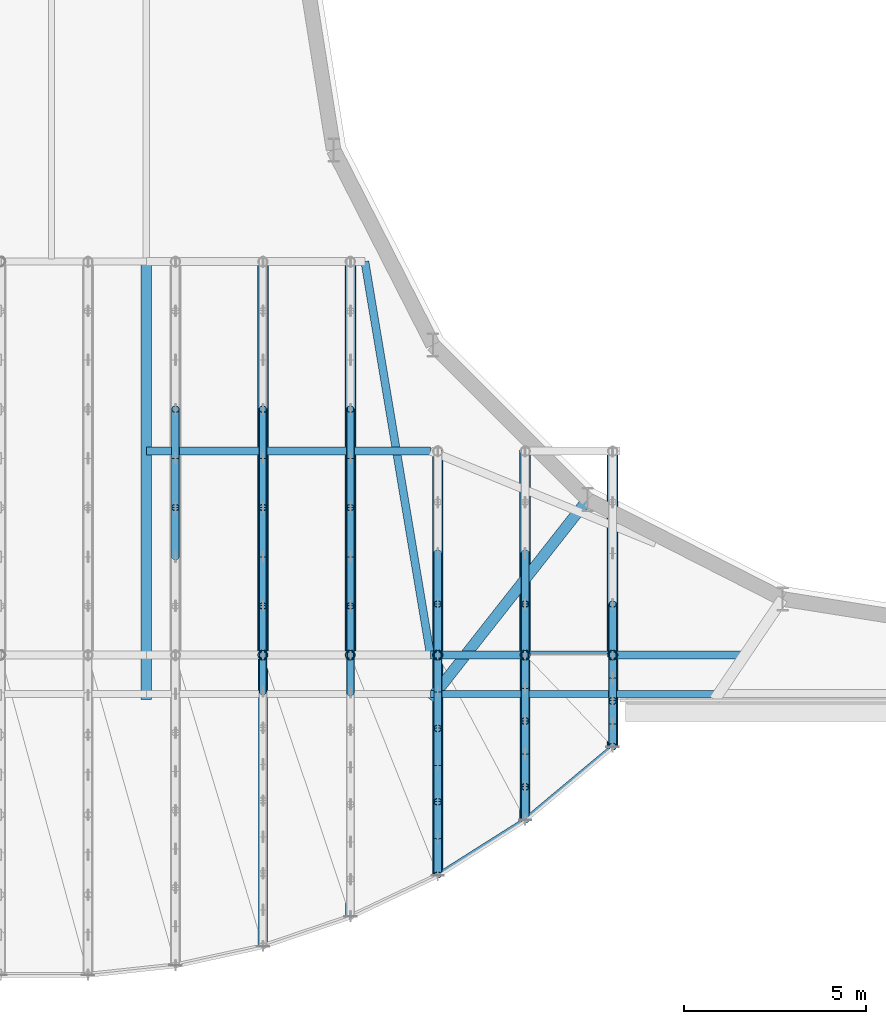
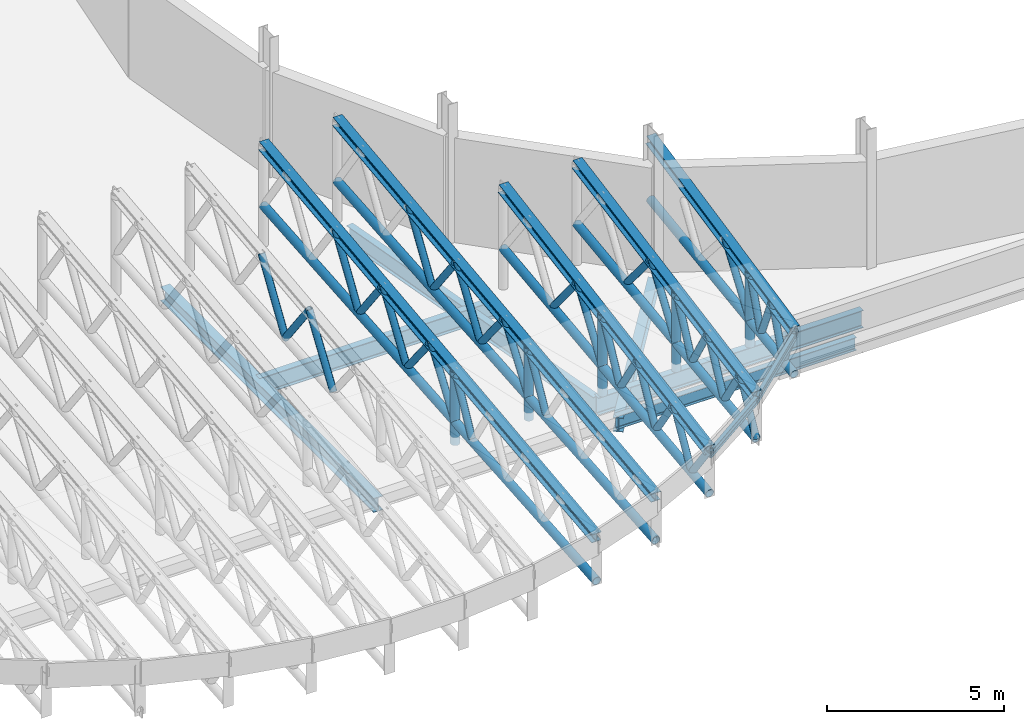
# One storey, part 14 of 58: 42 members, 16 beams.
"""IFC4 building model written with IfcOpenShell, lengths in metres."""

import ifcopenshell
import ifcopenshell.guid

model = None  # the IFC model being written
_history = None  # IfcOwnerHistory: only IFC2X3 demands one
_inside = {}  # id of a spatial element -> (the spatial element, [elements in it])
_under = {}  # id of a project, library or spatial element -> (it, [spatial elements below it])
_declared = {}  # id of a project -> (the project, [libraries it declares])
_typed = {}  # id of a type object -> (the type object, [elements of that type])
_made_of = {}  # id of a material, layer set ... -> (it, [elements and type objects made of it])


def new_model(schema):
    """Start an empty IFC model of exactly this schema.

    Asked for "IFC4X3", IfcOpenShell would pick the latest addendum, in which some entities
    have other attributes; the version numbers below select the first issue.
    IFC2X3 requires an IfcOwnerHistory on every rooted entity: one is made here for all.
    """
    global model, _history
    if schema == "IFC4X3":
        model = ifcopenshell.file(schema_version=(4, 3, 0, 0))
    else:
        model = ifcopenshell.file(schema=schema)
    _inside.clear()
    _under.clear()
    _declared.clear()
    _typed.clear()
    _made_of.clear()
    _history = None
    if model.schema == "IFC2X3":
        org = make("IfcOrganization", Name="unknown")
        user = make(
            "IfcPersonAndOrganization",
            ThePerson=make("IfcPerson", FamilyName="unknown"),
            TheOrganization=org,
        )
        app = make(
            "IfcApplication",
            ApplicationDeveloper=org,
            Version="unknown",
            ApplicationFullName="unknown",
            ApplicationIdentifier="unknown",
        )
        _history = make(
            "IfcOwnerHistory",
            OwningUser=user,
            OwningApplication=app,
            ChangeAction="ADDED",
            CreationDate=0,
        )
    return model


def make(cls, **values):
    """One entity of the class cls with the attributes given. An attribute that is None is left unset."""
    return model.create_entity(
        cls, **{name: value for name, value in values.items() if value is not None}
    )


def rooted(cls, **values):
    """An entity with a GlobalId (a new one), such as an element, a storey or a relation."""
    return make(cls, GlobalId=ifcopenshell.guid.new(), OwnerHistory=_history, **values)


def si_unit(unit_type, name, prefix=None):
    """IfcSIUnit, for example si_unit("LENGTHUNIT", "METRE", prefix="MILLI")."""
    return make("IfcSIUnit", UnitType=unit_type, Prefix=prefix, Name=name)


def assignment(units):
    """IfcUnitAssignment: the units of a project."""
    return None if units is None else make("IfcUnitAssignment", Units=units)


def point(xyz):
    """IfcCartesianPoint."""
    return None if xyz is None else make("IfcCartesianPoint", Coordinates=xyz)


def direction(xyz):
    """IfcDirection."""
    return None if xyz is None else make("IfcDirection", DirectionRatios=xyz)


def frame(location, z_axis=None, x_axis=None):
    """IfcAxis2Placement3D, a coordinate frame: its origin and axes. An axis left out is left unset."""
    return make(
        "IfcAxis2Placement3D",
        Location=point(location),
        Axis=direction(z_axis),
        RefDirection=direction(x_axis),
    )


def frame_2d(location, x_axis=None):
    """IfcAxis2Placement2D, a coordinate frame in the plane: its origin and x axis."""
    return make(
        "IfcAxis2Placement2D", Location=point(location), RefDirection=direction(x_axis)
    )


def origin():
    """The frame at (0, 0, 0) with its axes left unset."""
    return frame((0.0, 0.0, 0.0))


def origin_2d():
    """The frame at (0, 0) in the plane with its x axis left unset."""
    return frame_2d((0.0, 0.0))


def place(relative_to, where):
    """IfcLocalPlacement: puts the frame where relative to a parent placement (None: the world)."""
    return make(
        "IfcLocalPlacement", PlacementRelTo=relative_to, RelativePlacement=where
    )


def context(
    kind, dimensions, precision=None, world=None, true_north=None, identifier=None
):
    """IfcGeometricRepresentationContext, for example the 3D "Model" context."""
    return make(
        "IfcGeometricRepresentationContext",
        ContextIdentifier=identifier,
        ContextType=kind,
        CoordinateSpaceDimension=dimensions,
        Precision=precision,
        WorldCoordinateSystem=world,
        TrueNorth=true_north,
    )


def subcontext(parent, identifier, kind, view, scale=None):
    """IfcGeometricRepresentationSubContext, for example "Body" below "Model"."""
    return make(
        "IfcGeometricRepresentationSubContext",
        ContextIdentifier=identifier,
        ContextType=kind,
        ParentContext=parent,
        TargetScale=scale,
        TargetView=view,
    )


def project(units=None, contexts=None):
    """IfcProject with its units and contexts."""
    return rooted(
        "IfcProject",
        Name="project",
        RepresentationContexts=contexts,
        UnitsInContext=assignment(units),
    )


def spatial(cls, under=None, at=None, **own):
    """A site, building, storey or space (cls), placed at a placement, below another one or the project."""
    s = rooted(cls, ObjectPlacement=at, **own)
    if under is not None:
        _under.setdefault(under.id(), (under, []))[1].append(s)
    return s


def profile(cls, at=None, kind="AREA", **sizes):
    """A parametric profile (cls). Its sizes go by their IFC names, for example OverallWidth=200.0."""
    return make(cls, ProfileType=kind, Position=at, **sizes)


def hollow_circle(**sizes):
    """IfcCircleHollowProfileDef."""
    return profile("IfcCircleHollowProfileDef", **sizes)


def i_section(**sizes):
    """IfcIShapeProfileDef."""
    return profile("IfcIShapeProfileDef", **sizes)


def extrude(swept, where, along, depth):
    """IfcExtrudedAreaSolid: the profile swept, set in the frame where, extruded along a direction by depth."""
    return make(
        "IfcExtrudedAreaSolid",
        SweptArea=swept,
        Position=where,
        ExtrudedDirection=direction(along),
        Depth=depth,
    )


def shape(context_of_items, identifier, shape_type, items):
    """IfcShapeRepresentation: the items that make up one representation, for example the "Body"."""
    return make(
        "IfcShapeRepresentation",
        ContextOfItems=context_of_items,
        RepresentationIdentifier=identifier,
        RepresentationType=shape_type,
        Items=items,
    )


def material(Name=None, Category=None):
    """IfcMaterial."""
    return make("IfcMaterial", Name=Name, Category=Category)


def material_profile(
    of_material, cross_section, Name=None, Category=None, Priority=None
):
    """IfcMaterialProfile: a cross section and its material."""
    return make(
        "IfcMaterialProfile",
        Name=Name,
        Material=of_material,
        Profile=cross_section,
        Priority=Priority,
        Category=Category,
    )


def profile_set(profiles, Name=None, composite=None):
    """IfcMaterialProfileSet."""
    return make(
        "IfcMaterialProfileSet",
        Name=Name,
        MaterialProfiles=profiles,
        CompositeProfile=composite,
    )


def made_of(thing, what):
    """Note that an element or type object is made of a material, layer set ...; save() writes the relation."""
    if what is not None:
        _made_of.setdefault(what.id(), (what, []))[1].append(thing)
    return thing


def type_object(cls, material=None, **own):
    """A type object (cls), such as IfcWallType, which elements share."""
    return made_of(rooted(cls, **own), material)


def element(
    cls,
    number,
    at=None,
    inside=None,
    cuts=None,
    type_object=None,
    material=None,
    context=None,
    identifier="Body",
    shape_type=None,
    held_by="IfcProductDefinitionShape",
    body=None,
    shapes=None,
    **own,
):
    """One element of the class cls, such as IfcWall. Its Tag is "e" and its number.

    at: its placement. inside: the storey or other place that contains it. cuts: it is an
    opening in that element (IfcRelVoidsElement). A single representation is given by context,
    identifier, shape_type and body (its items); several are given by shapes. held_by: the class
    of the entity that holds the representations. save() writes the other relations.
    """
    e = rooted(cls, Tag="e%d" % number, ObjectPlacement=at, **own)
    if body is not None:
        shapes = [shape(context, identifier, shape_type, body)]
    if shapes is not None:
        e.Representation = make(held_by, Representations=shapes)
    if inside is not None:
        _inside.setdefault(inside.id(), (inside, []))[1].append(e)
    if cuts is not None:
        rooted(
            "IfcRelVoidsElement", RelatingBuildingElement=cuts, RelatedOpeningElement=e
        )
    if type_object is not None:
        _typed.setdefault(type_object.id(), (type_object, []))[1].append(e)
    return made_of(e, material)


def aggregate(whole, parts):
    """IfcRelAggregates: a whole, such as a stair, and the parts it consists of."""
    return rooted("IfcRelAggregates", RelatingObject=whole, RelatedObjects=parts)


def save(model, path):
    """Write the relations noted so far, then the file.

    IfcRelAggregates (storeys below a building ...), IfcRelContainedInSpatialStructure (elements
    in a storey), IfcRelDefinesByType, IfcRelAssociatesMaterial and IfcRelDeclares: one each for
    every whole, place, type object, material and project.
    """
    for whole, parts in _under.values():
        aggregate(whole, parts)
    for where, things in _inside.values():
        rooted(
            "IfcRelContainedInSpatialStructure",
            RelatedElements=things,
            RelatingStructure=where,
        )
    for kind, things in _typed.values():
        rooted("IfcRelDefinesByType", RelatedObjects=things, RelatingType=kind)
    for what, things in _made_of.values():
        rooted("IfcRelAssociatesMaterial", RelatedObjects=things, RelatingMaterial=what)
    for by, libraries in _declared.values():
        rooted("IfcRelDeclares", RelatingContext=by, RelatedDefinitions=libraries)
    model.write(path)


model = new_model("IFC4")

# Units and contexts
model_context = context("Model", 3, precision=1e-05, world=origin(), true_north=direction((0.0, 1.0)))
body_context = subcontext(model_context, "Body", "Model", "MODEL_VIEW")
ifc_project = project(units=[si_unit("LENGTHUNIT", "METRE"), si_unit("AREAUNIT", "SQUARE_METRE"), si_unit("VOLUMEUNIT", "CUBIC_METRE"), si_unit("PLANEANGLEUNIT", "RADIAN"), si_unit("MASSUNIT", "GRAM", prefix="KILO")], contexts=[model_context])

# Site, building, storey
site_placement = place(None, origin())
site = spatial("IfcSite", under=ifc_project, at=site_placement, CompositionType="ELEMENT")
building_placement = place(site_placement, origin())
building = spatial("IfcBuilding", under=site, at=building_placement, Name="Sefraquen Railside Congress Hotel", CompositionType="ELEMENT")
storey_placement = place(building_placement, frame((0.0, 0.0, 16.199951171875)))
storey = spatial("IfcBuildingStorey", under=building, at=storey_placement, Name="L03", CompositionType="ELEMENT", Elevation=16.199951171875)

# Beams
ifc_material_1 = material(Name="Steel S355JR", Category="steel")
ifc_material_profile_1 = material_profile(ifc_material_1, i_section(OverallWidth=0.18994140625, OverallDepth=0.449951171875, WebThickness=0.009521484375, FlangeThickness=0.0146484375, FilletRadius=0.02099609375, at=origin_2d()), Name="IPE 450")
ifc_profile_set_1 = profile_set([ifc_material_profile_1], Name="Steel S355JR")
beam_type_1 = type_object("IfcBeamType", Name="TB-BM-450", PredefinedType="BEAM", material=ifc_profile_set_1)
beam_1_placement = place(storey_placement, frame((48.60009765625, 6.128173828125, -0.5048828125), z_axis=(1.0, 0.0, 0.0), x_axis=(0.0, 1.0, 0.0)))
element("IfcBeam", 1, at=beam_1_placement, inside=storey, type_object=beam_type_1, Name="Congress leaning-hull south edge beam L03-04", PredefinedType="BEAM", context=body_context, shape_type="SweptSolid", body=[
    extrude(i_section(OverallWidth=0.18994140625, OverallDepth=0.449951171875, WebThickness=0.009521484375, FlangeThickness=0.0146484375, FilletRadius=0.02099609375, at=origin_2d()), origin(), (0.0, 0.0, 1.0), 7.7998046875),
])
ifc_material_2 = material(Name="Steel S355J2", Category="steel")
ifc_material_profile_2 = material_profile(ifc_material_2, hollow_circle(Radius=0.136474609375, WallThickness=0.012451171875, at=origin_2d()), Name="CHS 273x12.5")
ifc_profile_set_2 = profile_set([ifc_material_profile_2], Name="Steel S355J2")
beam_type_2 = type_object("IfcBeamType", Name="TB-CANT-BOT", PredefinedType="BEAM", material=ifc_profile_set_2)
beam_2_placement = place(storey_placement, frame((44.0, 18.0, 1.35009765625), z_axis=(0.0, -0.99666047707, -0.08165717021), x_axis=(1.0, 0.0, 0.0)))
element("IfcBeam", 2, at=beam_2_placement, inside=storey, type_object=beam_type_2, Name="Canopy cantilever truss continuous bottom chord 10", PredefinedType="BEAM", context=body_context, shape_type="SweptSolid", body=[
    extrude(hollow_circle(Radius=0.136474609375, WallThickness=0.012451171875, at=origin_2d()), origin(), (0.0, 0.0, 1.0), 18.847900390625),
])
beam_3_placement = place(storey_placement, frame((46.39990234375, 18.0, 1.35009765625), z_axis=(0.0, -0.996653309501, -0.081744606311), x_axis=(1.0, 0.0, 0.0)))
element("IfcBeam", 3, at=beam_3_placement, inside=storey, type_object=beam_type_2, Name="Canopy cantilever truss continuous bottom chord 11", PredefinedType="BEAM", context=body_context, shape_type="SweptSolid", body=[
    extrude(hollow_circle(Radius=0.136474609375, WallThickness=0.012451171875, at=origin_2d()), origin(), (0.0, 0.0, 1.0), 18.033203125),
])
beam_4_placement = place(storey_placement, frame((48.800048828125, 12.800048828125, 1.35009765625), z_axis=(0.0, -0.993013865395, -0.117997725122), x_axis=(1.0, 0.0, 0.0)))
element("IfcBeam", 4, at=beam_4_placement, inside=storey, type_object=beam_type_2, Name="Canopy cantilever truss continuous bottom chord 12", PredefinedType="BEAM", context=body_context, shape_type="SweptSolid", body=[
    extrude(hollow_circle(Radius=0.136474609375, WallThickness=0.012451171875, at=origin_2d()), origin(), (0.0, 0.0, 1.0), 11.720947265625),
])
beam_5_placement = place(storey_placement, frame((51.199951171875, 12.800048828125, 1.35009765625), z_axis=(0.0, -0.992316127988, -0.123728340061), x_axis=(1.0, 0.0, 0.0)))
element("IfcBeam", 5, at=beam_5_placement, inside=storey, type_object=beam_type_2, Name="Canopy cantilever truss continuous bottom chord 13", PredefinedType="BEAM", context=body_context, shape_type="SweptSolid", body=[
    extrude(hollow_circle(Radius=0.136474609375, WallThickness=0.012451171875, at=origin_2d()), origin(), (0.0, 0.0, 1.0), 10.199462890625),
])
beam_6_placement = place(storey_placement, frame((53.60009765625, 12.800048828125, 1.35009765625), z_axis=(0.0, -0.990917952932, -0.134467879276), x_axis=(1.0, 0.0, 0.0)))
element("IfcBeam", 6, at=beam_6_placement, inside=storey, type_object=beam_type_2, Name="Canopy cantilever truss continuous bottom chord 14", PredefinedType="BEAM", context=body_context, shape_type="SweptSolid", body=[
    extrude(hollow_circle(Radius=0.136474609375, WallThickness=0.012451171875, at=origin_2d()), origin(), (0.0, 0.0, 1.0), 8.1884765625),
])
ifc_material_profile_3 = material_profile(ifc_material_1, i_section(OverallWidth=0.300048828125, OverallDepth=0.31005859375, WebThickness=0.009033203125, FlangeThickness=0.015380859375, FilletRadius=0.027099609375, at=origin_2d()), Name="HEA 320")
ifc_profile_set_3 = profile_set([ifc_material_profile_3], Name="Steel S355JR")
beam_type_3 = type_object("IfcBeamType", Name="TB-CANT-TOP", PredefinedType="BEAM", material=ifc_profile_set_3)
beam_7_placement = place(storey_placement, frame((44.0, 18.0, 3.449951171875), z_axis=(0.0, -0.993579910464, -0.113132495426), x_axis=(1.0, 0.0, 0.0)))
element("IfcBeam", 7, at=beam_7_placement, inside=storey, type_object=beam_type_3, Name="Canopy cantilever truss continuous top chord 10", PredefinedType="BEAM", context=body_context, shape_type="SweptSolid", body=[
    extrude(i_section(OverallWidth=0.300048828125, OverallDepth=0.31005859375, WebThickness=0.009033203125, FlangeThickness=0.015380859375, FilletRadius=0.027099609375, at=origin_2d()), origin(), (0.0, 0.0, 1.0), 18.90625),
])
beam_8_placement = place(storey_placement, frame((46.39990234375, 18.0, 3.449951171875), z_axis=(0.0, -0.993407812942, -0.114633839615), x_axis=(1.0, 0.0, 0.0)))
element("IfcBeam", 8, at=beam_8_placement, inside=storey, type_object=beam_type_3, Name="Canopy cantilever truss continuous top chord 11", PredefinedType="BEAM", context=body_context, shape_type="SweptSolid", body=[
    extrude(i_section(OverallWidth=0.300048828125, OverallDepth=0.31005859375, WebThickness=0.009033203125, FlangeThickness=0.015380859375, FilletRadius=0.027099609375, at=origin_2d()), origin(), (0.0, 0.0, 1.0), 18.09228515625),
])
beam_9_placement = place(storey_placement, frame((48.800048828125, 12.800048828125, 3.449951171875), z_axis=(0.0, -0.985796269092, -0.167945574056), x_axis=(1.0, 0.0, 0.0)))
element("IfcBeam", 9, at=beam_9_placement, inside=storey, type_object=beam_type_3, Name="Canopy cantilever truss continuous top chord 12", PredefinedType="BEAM", context=body_context, shape_type="SweptSolid", body=[
    extrude(i_section(OverallWidth=0.300048828125, OverallDepth=0.31005859375, WebThickness=0.009033203125, FlangeThickness=0.015380859375, FilletRadius=0.027099609375, at=origin_2d()), origin(), (0.0, 0.0, 1.0), 11.806884765625),
])
beam_10_placement = place(storey_placement, frame((51.199951171875, 12.800048828125, 3.449951171875), z_axis=(0.0, -0.983498095505, -0.180918479263), x_axis=(1.0, 0.0, 0.0)))
element("IfcBeam", 10, at=beam_10_placement, inside=storey, type_object=beam_type_3, Name="Canopy cantilever truss continuous top chord 13", PredefinedType="BEAM", context=body_context, shape_type="SweptSolid", body=[
    extrude(i_section(OverallWidth=0.300048828125, OverallDepth=0.31005859375, WebThickness=0.009033203125, FlangeThickness=0.015380859375, FilletRadius=0.027099609375, at=origin_2d()), origin(), (0.0, 0.0, 1.0), 10.291015625),
])
beam_11_placement = place(storey_placement, frame((53.60009765625, 12.800048828125, 3.449951171875), z_axis=(0.0, -0.978726583859, -0.205168891522), x_axis=(1.0, 0.0, 0.0)))
element("IfcBeam", 11, at=beam_11_placement, inside=storey, type_object=beam_type_3, Name="Canopy cantilever truss continuous top chord 14", PredefinedType="BEAM", context=body_context, shape_type="SweptSolid", body=[
    extrude(i_section(OverallWidth=0.300048828125, OverallDepth=0.31005859375, WebThickness=0.009033203125, FlangeThickness=0.015380859375, FilletRadius=0.027099609375, at=origin_2d()), origin(), (0.0, 0.0, 1.0), 8.290283203125),
])
ifc_material_profile_4 = material_profile(ifc_material_1, i_section(OverallWidth=0.300048828125, OverallDepth=0.489990234375, WebThickness=0.011962890625, FlangeThickness=0.02294921875, FilletRadius=0.027099609375, at=origin_2d()), Name="HEA 500")
ifc_profile_set_4 = profile_set([ifc_material_profile_4], Name="Steel S355JR")
beam_type_4 = type_object("IfcBeamType", Name="TB-GIR-500", PredefinedType="T_BEAM", material=ifc_profile_set_4)
beam_12_placement = place(storey_placement, frame((40.800048828125, 5.978515625, -0.52490234375), z_axis=(0.0, 1.0, 0.0), x_axis=(-1.0, 0.0, 0.0)))
element("IfcBeam", 12, at=beam_12_placement, inside=storey, type_object=beam_type_4, Name="Congress leaning-hull diaphragm tie girder S-6 L03", PredefinedType="T_BEAM", context=body_context, shape_type="SweptSolid", body=[
    extrude(i_section(OverallWidth=0.300048828125, OverallDepth=0.489990234375, WebThickness=0.011962890625, FlangeThickness=0.02294921875, FilletRadius=0.027099609375, at=origin_2d()), origin(), (0.0, 0.0, 1.0), 12.021484375),
])
beam_13_placement = place(storey_placement, frame((48.60009765625, 5.978515625, -0.52490234375), z_axis=(0.618019227105, 0.78616298242, 0.0), x_axis=(-0.78616298242, 0.618019227105, 0.0)))
element("IfcBeam", 13, at=beam_13_placement, inside=storey, type_object=beam_type_4, Name="Congress leaning-hull diaphragm tie girder S-7 L03", PredefinedType="T_BEAM", context=body_context, shape_type="SweptSolid", body=[
    extrude(i_section(OverallWidth=0.300048828125, OverallDepth=0.489990234375, WebThickness=0.011962890625, FlangeThickness=0.02294921875, FilletRadius=0.027099609375, at=origin_2d()), origin(), (0.0, 0.0, 1.0), 6.981201171875),
])
ifc_material_profile_5 = material_profile(ifc_material_1, i_section(OverallWidth=0.219970703125, OverallDepth=0.60009765625, WebThickness=0.011962890625, FlangeThickness=0.01904296875, FilletRadius=0.02392578125, at=origin_2d()), Name="IPE 600")
ifc_profile_set_5 = profile_set([ifc_material_profile_5], Name="Steel S355JR")
beam_type_5 = type_object("IfcBeamType", Name="TB-GIR-600", PredefinedType="T_BEAM", material=ifc_profile_set_5)
beam_14_placement = place(storey_placement, frame((48.60009765625, 7.199951171875, -0.579833984375), z_axis=(1.0, 0.0, 0.0), x_axis=(0.0, 1.0, 0.0)))
element("IfcBeam", 14, at=beam_14_placement, inside=storey, type_object=beam_type_5, Name="Canopy L03 fulcrum header girder 04", PredefinedType="T_BEAM", context=body_context, shape_type="SweptSolid", body=[
    extrude(i_section(OverallWidth=0.219970703125, OverallDepth=0.60009765625, WebThickness=0.011962890625, FlangeThickness=0.01904296875, FilletRadius=0.02392578125, at=origin_2d()), origin(), (0.0, 0.0, 1.0), 8.6298828125),
])
beam_15_placement = place(storey_placement, frame((46.800048828125, 18.0, -0.579833984375), z_axis=(0.164402603184, -0.986393321179, 0.0), x_axis=(0.986393321179, 0.164402603184, 0.0)))
element("IfcBeam", 15, at=beam_15_placement, inside=storey, type_object=beam_type_5, Name="Canopy L03 back-span cross trimmer girder", PredefinedType="T_BEAM", context=body_context, shape_type="SweptSolid", body=[
    extrude(i_section(OverallWidth=0.219970703125, OverallDepth=0.60009765625, WebThickness=0.011962890625, FlangeThickness=0.01904296875, FilletRadius=0.02392578125, at=origin_2d()), origin(), (0.0, 0.0, 1.0), 10.948974609375),
])
beam_16_placement = place(storey_placement, frame((40.800048828125, 12.800048828125, -0.579833984375), z_axis=(1.0, 0.0, 0.0), x_axis=(0.0, 1.0, 0.0)))
element("IfcBeam", 16, at=beam_16_placement, inside=storey, type_object=beam_type_5, Name="Canopy L03 east back-span anchor girder 04", PredefinedType="T_BEAM", context=body_context, shape_type="SweptSolid", body=[
    extrude(i_section(OverallWidth=0.219970703125, OverallDepth=0.60009765625, WebThickness=0.011962890625, FlangeThickness=0.01904296875, FilletRadius=0.02392578125, at=origin_2d()), origin(), (0.0, 0.0, 1.0), 7.800048828125),
])

# Members
ifc_material_profile_6 = material_profile(ifc_material_2, hollow_circle(Radius=0.109619140625, WallThickness=0.010009765625, at=origin_2d()), Name="CHS 219.1x10")
ifc_profile_set_6 = profile_set([ifc_material_profile_6], Name="Steel S355J2")
member_type_1 = type_object("IfcMemberType", Name="TM-BR-219", PredefinedType="BRACE", material=ifc_profile_set_6)
member_1_placement = place(storey_placement, frame((41.60009765625, 13.949951171875, 2.99267578125), z_axis=(0.0, -0.543512112046, -0.83940132479), x_axis=(1.0, 0.0, 0.0)))
element("IfcMember", 17, at=member_1_placement, inside=storey, type_object=member_type_1, Name="Canopy cantilever truss web diagonal 09.04", PredefinedType="BRACE", context=body_context, shape_type="SweptSolid", body=[
    extrude(hollow_circle(Radius=0.109619140625, WallThickness=0.010009765625, at=origin_2d()), origin(), (0.0, 0.0, 1.0), 2.483642578125),
])
member_2_placement = place(storey_placement, frame((41.60009765625, 12.60009765625, 0.907958984375), z_axis=(0.0, -0.604362561467, 0.796709416473), x_axis=(1.0, 0.0, 0.0)))
element("IfcMember", 18, at=member_2_placement, inside=storey, type_object=member_type_1, Name="Canopy cantilever truss web diagonal 09.05", PredefinedType="BRACE", context=body_context, shape_type="SweptSolid", body=[
    extrude(hollow_circle(Radius=0.109619140625, WallThickness=0.010009765625, at=origin_2d()), origin(), (0.0, 0.0, 1.0), 2.23388671875),
])
member_3_placement = place(storey_placement, frame((41.60009765625, 11.25, 2.687744140625), z_axis=(0.0, -0.559359930014, -0.828924887245), x_axis=(1.0, 0.0, 0.0)))
element("IfcMember", 19, at=member_3_placement, inside=storey, type_object=member_type_1, Name="Canopy cantilever truss web diagonal 09.06", PredefinedType="BRACE", context=body_context, shape_type="SweptSolid", body=[
    extrude(hollow_circle(Radius=0.109619140625, WallThickness=0.010009765625, at=origin_2d()), origin(), (0.0, 0.0, 1.0), 2.41357421875),
])
member_4_placement = place(storey_placement, frame((44.0, 13.949951171875, 2.98876953125), z_axis=(0.0, -0.544185488096, -0.838964930463), x_axis=(1.0, 0.0, 0.0)))
element("IfcMember", 20, at=member_4_placement, inside=storey, type_object=member_type_1, Name="Canopy cantilever truss web diagonal 10.04", PredefinedType="BRACE", context=body_context, shape_type="SweptSolid", body=[
    extrude(hollow_circle(Radius=0.109619140625, WallThickness=0.010009765625, at=origin_2d()), origin(), (0.0, 0.0, 1.0), 2.48046875),
])
member_5_placement = place(storey_placement, frame((44.0, 12.60009765625, 0.90771484375), z_axis=(0.0, -0.605680159853, 0.795708202773), x_axis=(1.0, 0.0, 0.0)))
element("IfcMember", 21, at=member_5_placement, inside=storey, type_object=member_type_1, Name="Canopy cantilever truss web diagonal 10.05", PredefinedType="BRACE", context=body_context, shape_type="SweptSolid", body=[
    extrude(hollow_circle(Radius=0.109619140625, WallThickness=0.010009765625, at=origin_2d()), origin(), (0.0, 0.0, 1.0), 2.22900390625),
])
member_6_placement = place(storey_placement, frame((44.0, 11.25, 2.681396484375), z_axis=(0.0, -0.560487280563, -0.828163032456), x_axis=(1.0, 0.0, 0.0)))
element("IfcMember", 22, at=member_6_placement, inside=storey, type_object=member_type_1, Name="Canopy cantilever truss web diagonal 10.06", PredefinedType="BRACE", context=body_context, shape_type="SweptSolid", body=[
    extrude(hollow_circle(Radius=0.109619140625, WallThickness=0.010009765625, at=origin_2d()), origin(), (0.0, 0.0, 1.0), 2.40869140625),
])
member_7_placement = place(storey_placement, frame((44.0, 9.89990234375, 0.6865234375), z_axis=(0.0, -0.624653713374, 0.780901874994), x_axis=(1.0, 0.0, 0.0)))
element("IfcMember", 23, at=member_7_placement, inside=storey, type_object=member_type_1, Name="Canopy cantilever truss web diagonal 10.07", PredefinedType="BRACE", context=body_context, shape_type="SweptSolid", body=[
    extrude(hollow_circle(Radius=0.109619140625, WallThickness=0.010009765625, at=origin_2d()), origin(), (0.0, 0.0, 1.0), 2.160888671875),
])
member_8_placement = place(storey_placement, frame((44.0, 8.550048828125, 2.3740234375), z_axis=(0.0, -0.577478301783, -0.816406033154), x_axis=(1.0, 0.0, 0.0)))
element("IfcMember", 24, at=member_8_placement, inside=storey, type_object=member_type_1, Name="Canopy cantilever truss web diagonal 10.08", PredefinedType="BRACE", context=body_context, shape_type="SweptSolid", body=[
    extrude(hollow_circle(Radius=0.109619140625, WallThickness=0.010009765625, at=origin_2d()), origin(), (0.0, 0.0, 1.0), 2.337890625),
])
member_9_placement = place(storey_placement, frame((44.0, 7.199951171875, 2.22021484375), z_axis=(0.0, -0.477460397215, -0.878653270119), x_axis=(1.0, 0.0, 0.0)))
element("IfcMember", 25, at=member_9_placement, inside=storey, type_object=member_type_1, Name="Canopy cantilever truss web diagonal 10.09", PredefinedType="BRACE", context=body_context, shape_type="SweptSolid", body=[
    extrude(hollow_circle(Radius=0.109619140625, WallThickness=0.010009765625, at=origin_2d()), origin(), (0.0, 0.0, 1.0), 2.09033203125),
])
member_10_placement = place(storey_placement, frame((46.39990234375, 13.949951171875, 2.982666015625), z_axis=(0.0, -0.545220559607, -0.838292634694), x_axis=(1.0, 0.0, 0.0)))
element("IfcMember", 26, at=member_10_placement, inside=storey, type_object=member_type_1, Name="Canopy cantilever truss web diagonal 11.04", PredefinedType="BRACE", context=body_context, shape_type="SweptSolid", body=[
    extrude(hollow_circle(Radius=0.109619140625, WallThickness=0.010009765625, at=origin_2d()), origin(), (0.0, 0.0, 1.0), 2.475830078125),
])
member_11_placement = place(storey_placement, frame((46.39990234375, 12.60009765625, 0.9072265625), z_axis=(0.0, -0.607796815012, 0.794092583809), x_axis=(1.0, 0.0, 0.0)))
element("IfcMember", 27, at=member_11_placement, inside=storey, type_object=member_type_1, Name="Canopy cantilever truss web diagonal 11.05", PredefinedType="BRACE", context=body_context, shape_type="SweptSolid", body=[
    extrude(hollow_circle(Radius=0.109619140625, WallThickness=0.010009765625, at=origin_2d()), origin(), (0.0, 0.0, 1.0), 2.22119140625),
])
member_12_placement = place(storey_placement, frame((46.39990234375, 11.25, 2.671142578125), z_axis=(0.0, -0.56232670946, -0.826915153947), x_axis=(1.0, 0.0, 0.0)))
element("IfcMember", 28, at=member_12_placement, inside=storey, type_object=member_type_1, Name="Canopy cantilever truss web diagonal 11.06", PredefinedType="BRACE", context=body_context, shape_type="SweptSolid", body=[
    extrude(hollow_circle(Radius=0.109619140625, WallThickness=0.010009765625, at=origin_2d()), origin(), (0.0, 0.0, 1.0), 2.40087890625),
])
member_13_placement = place(storey_placement, frame((46.39990234375, 9.89990234375, 0.685791015625), z_axis=(0.0, -0.627750231975, 0.778414829159), x_axis=(1.0, 0.0, 0.0)))
element("IfcMember", 29, at=member_13_placement, inside=storey, type_object=member_type_1, Name="Canopy cantilever truss web diagonal 11.07", PredefinedType="BRACE", context=body_context, shape_type="SweptSolid", body=[
    extrude(hollow_circle(Radius=0.109619140625, WallThickness=0.010009765625, at=origin_2d()), origin(), (0.0, 0.0, 1.0), 2.150390625),
])
member_14_placement = place(storey_placement, frame((46.39990234375, 8.550048828125, 2.359619140625), z_axis=(0.0, -0.580195627794, -0.814477153448), x_axis=(1.0, 0.0, 0.0)))
element("IfcMember", 30, at=member_14_placement, inside=storey, type_object=member_type_1, Name="Canopy cantilever truss web diagonal 11.08", PredefinedType="BRACE", context=body_context, shape_type="SweptSolid", body=[
    extrude(hollow_circle(Radius=0.109619140625, WallThickness=0.010009765625, at=origin_2d()), origin(), (0.0, 0.0, 1.0), 2.326904296875),
])
member_15_placement = place(storey_placement, frame((46.39990234375, 7.199951171875, 2.203857421875), z_axis=(0.0, -0.489878818002, -0.871790538875), x_axis=(1.0, 0.0, 0.0)))
element("IfcMember", 31, at=member_15_placement, inside=storey, type_object=member_type_1, Name="Canopy cantilever truss web diagonal 11.09", PredefinedType="BRACE", context=body_context, shape_type="SweptSolid", body=[
    extrude(hollow_circle(Radius=0.109619140625, WallThickness=0.010009765625, at=origin_2d()), origin(), (0.0, 0.0, 1.0), 2.091552734375),
])
member_16_placement = place(storey_placement, frame((48.800048828125, 10.0, 1.017333984375), z_axis=(0.0, -0.631898597861, 0.775051070589), x_axis=(1.0, 0.0, 0.0)))
element("IfcMember", 32, at=member_16_placement, inside=storey, type_object=member_type_1, Name="Canopy cantilever truss web diagonal 12.03", PredefinedType="BRACE", context=body_context, shape_type="SweptSolid", body=[
    extrude(hollow_circle(Radius=0.109619140625, WallThickness=0.010009765625, at=origin_2d()), origin(), (0.0, 0.0, 1.0), 2.21533203125),
])
member_17_placement = place(storey_placement, frame((48.800048828125, 8.60009765625, 2.734375), z_axis=(0.0, -0.564038528451, -0.825748471644), x_axis=(1.0, 0.0, 0.0)))
element("IfcMember", 33, at=member_17_placement, inside=storey, type_object=member_type_1, Name="Canopy cantilever truss web diagonal 12.04", PredefinedType="BRACE", context=body_context, shape_type="SweptSolid", body=[
    extrude(hollow_circle(Radius=0.109619140625, WallThickness=0.010009765625, at=origin_2d()), origin(), (0.0, 0.0, 1.0), 2.482421875),
])
member_18_placement = place(storey_placement, frame((48.800048828125, 7.199951171875, 2.495849609375), z_axis=(0.0, -0.462175110491, -0.886788682405), x_axis=(1.0, 0.0, 0.0)))
element("IfcMember", 34, at=member_18_placement, inside=storey, type_object=member_type_1, Name="Canopy cantilever truss web diagonal 12.05", PredefinedType="BRACE", context=body_context, shape_type="SweptSolid", body=[
    extrude(hollow_circle(Radius=0.109619140625, WallThickness=0.010009765625, at=origin_2d()), origin(), (0.0, 0.0, 1.0), 2.177490234375),
])
member_19_placement = place(storey_placement, frame((48.800048828125, 6.193603515625, 0.56494140625), z_axis=(0.0, -0.535404226685, 0.844595947213), x_axis=(1.0, 0.0, 0.0)))
element("IfcMember", 35, at=member_19_placement, inside=storey, type_object=member_type_1, Name="Canopy cantilever truss web diagonal 12.06", PredefinedType="BRACE", context=body_context, shape_type="SweptSolid", body=[
    extrude(hollow_circle(Radius=0.109619140625, WallThickness=0.010009765625, at=origin_2d()), origin(), (0.0, 0.0, 1.0), 1.880126953125),
])
member_20_placement = place(storey_placement, frame((48.800048828125, 5.18701171875, 2.15283203125), z_axis=(0.0, -0.48257910063, -0.875852391465), x_axis=(1.0, 0.0, 0.0)))
element("IfcMember", 36, at=member_20_placement, inside=storey, type_object=member_type_1, Name="Canopy cantilever truss web diagonal 12.07", PredefinedType="BRACE", context=body_context, shape_type="SweptSolid", body=[
    extrude(hollow_circle(Radius=0.109619140625, WallThickness=0.010009765625, at=origin_2d()), origin(), (0.0, 0.0, 1.0), 2.0859375),
])
member_21_placement = place(storey_placement, frame((48.800048828125, 4.180419921875, 0.325927734375), z_axis=(0.0, -0.561218379676, 0.82766776566), x_axis=(1.0, 0.0, 0.0)))
element("IfcMember", 37, at=member_21_placement, inside=storey, type_object=member_type_1, Name="Canopy cantilever truss web diagonal 12.08", PredefinedType="BRACE", context=body_context, shape_type="SweptSolid", body=[
    extrude(hollow_circle(Radius=0.109619140625, WallThickness=0.010009765625, at=origin_2d()), origin(), (0.0, 0.0, 1.0), 1.793212890625),
])
member_22_placement = place(storey_placement, frame((48.800048828125, 3.174072265625, 1.81005859375), z_axis=(0.0, -0.504350110994, -0.863499256248), x_axis=(1.0, 0.0, 0.0)))
element("IfcMember", 38, at=member_22_placement, inside=storey, type_object=member_type_1, Name="Canopy cantilever truss web diagonal 12.09", PredefinedType="BRACE", context=body_context, shape_type="SweptSolid", body=[
    extrude(hollow_circle(Radius=0.109619140625, WallThickness=0.010009765625, at=origin_2d()), origin(), (0.0, 0.0, 1.0), 1.995849609375),
])
member_23_placement = place(storey_placement, frame((48.800048828125, 2.16748046875, 0.086669921875), z_axis=(0.0, -0.589199369497, 0.807987687397), x_axis=(1.0, 0.0, 0.0)))
element("IfcMember", 39, at=member_23_placement, inside=storey, type_object=member_type_1, Name="Canopy cantilever truss web diagonal 12.10", PredefinedType="BRACE", context=body_context, shape_type="SweptSolid", body=[
    extrude(hollow_circle(Radius=0.109619140625, WallThickness=0.010009765625, at=origin_2d()), origin(), (0.0, 0.0, 1.0), 1.70849609375),
])
member_24_placement = place(storey_placement, frame((51.199951171875, 10.0, 1.0009765625), z_axis=(0.0, -0.640997717365, 0.767542784692), x_axis=(1.0, 0.0, 0.0)))
element("IfcMember", 40, at=member_24_placement, inside=storey, type_object=member_type_1, Name="Canopy cantilever truss web diagonal 13.03", PredefinedType="BRACE", context=body_context, shape_type="SweptSolid", body=[
    extrude(hollow_circle(Radius=0.109619140625, WallThickness=0.010009765625, at=origin_2d()), origin(), (0.0, 0.0, 1.0), 2.183837890625),
])
member_25_placement = place(storey_placement, frame((51.199951171875, 8.60009765625, 2.67724609375), z_axis=(0.0, -0.568647841326, -0.822581079624), x_axis=(1.0, 0.0, 0.0)))
element("IfcMember", 41, at=member_25_placement, inside=storey, type_object=member_type_1, Name="Canopy cantilever truss web diagonal 13.04", PredefinedType="BRACE", context=body_context, shape_type="SweptSolid", body=[
    extrude(hollow_circle(Radius=0.109619140625, WallThickness=0.010009765625, at=origin_2d()), origin(), (0.0, 0.0, 1.0), 2.462158203125),
])
member_26_placement = place(storey_placement, frame((51.199951171875, 7.199951171875, 2.419677734375), z_axis=(0.0, -0.433259709907, -0.901269118394), x_axis=(1.0, 0.0, 0.0)))
element("IfcMember", 42, at=member_26_placement, inside=storey, type_object=member_type_1, Name="Canopy cantilever truss web diagonal 13.05", PredefinedType="BRACE", context=body_context, shape_type="SweptSolid", body=[
    extrude(hollow_circle(Radius=0.109619140625, WallThickness=0.010009765625, at=origin_2d()), origin(), (0.0, 0.0, 1.0), 2.086669921875),
])
member_27_placement = place(storey_placement, frame((51.199951171875, 6.2958984375, 0.5390625), z_axis=(0.0, -0.504387407749, 0.863477470988), x_axis=(1.0, 0.0, 0.0)))
element("IfcMember", 43, at=member_27_placement, inside=storey, type_object=member_type_1, Name="Canopy cantilever truss web diagonal 13.06", PredefinedType="BRACE", context=body_context, shape_type="SweptSolid", body=[
    extrude(hollow_circle(Radius=0.109619140625, WallThickness=0.010009765625, at=origin_2d()), origin(), (0.0, 0.0, 1.0), 1.79296875),
])
member_28_placement = place(storey_placement, frame((51.199951171875, 5.3916015625, 2.087158203125), z_axis=(0.0, -0.454214165699, -0.890892525324), x_axis=(1.0, 0.0, 0.0)))
element("IfcMember", 44, at=member_28_placement, inside=storey, type_object=member_type_1, Name="Canopy cantilever truss web diagonal 13.07", PredefinedType="BRACE", context=body_context, shape_type="SweptSolid", body=[
    extrude(hollow_circle(Radius=0.109619140625, WallThickness=0.010009765625, at=origin_2d()), origin(), (0.0, 0.0, 1.0), 1.990966796875),
])
member_29_placement = place(storey_placement, frame((51.199951171875, 4.4873046875, 0.3134765625), z_axis=(0.0, -0.531468859326, 0.847077830879), x_axis=(1.0, 0.0, 0.0)))
element("IfcMember", 45, at=member_29_placement, inside=storey, type_object=member_type_1, Name="Canopy cantilever truss web diagonal 13.08", PredefinedType="BRACE", context=body_context, shape_type="SweptSolid", body=[
    extrude(hollow_circle(Radius=0.109619140625, WallThickness=0.010009765625, at=origin_2d()), origin(), (0.0, 0.0, 1.0), 1.700927734375),
])
member_30_placement = place(storey_placement, frame((51.199951171875, 3.583251953125, 1.75439453125), z_axis=(0.0, -0.47699239414, -0.878907421708), x_axis=(1.0, 0.0, 0.0)))
element("IfcMember", 46, at=member_30_placement, inside=storey, type_object=member_type_1, Name="Canopy cantilever truss web diagonal 13.09", PredefinedType="BRACE", context=body_context, shape_type="SweptSolid", body=[
    extrude(hollow_circle(Radius=0.109619140625, WallThickness=0.010009765625, at=origin_2d()), origin(), (0.0, 0.0, 1.0), 1.895751953125),
])
member_31_placement = place(storey_placement, frame((53.60009765625, 8.60009765625, 2.569580078125), z_axis=(0.0, -0.577469631456, -0.816412165971), x_axis=(1.0, 0.0, 0.0)))
element("IfcMember", 47, at=member_31_placement, inside=storey, type_object=member_type_1, Name="Canopy cantilever truss web diagonal 14.04", PredefinedType="BRACE", context=body_context, shape_type="SweptSolid", body=[
    extrude(hollow_circle(Radius=0.109619140625, WallThickness=0.010009765625, at=origin_2d()), origin(), (0.0, 0.0, 1.0), 2.424560546875),
])
member_32_placement = place(storey_placement, frame((53.60009765625, 7.199951171875, 2.276123046875), z_axis=(0.0, -0.334368905174, -0.942442271576), x_axis=(1.0, 0.0, 0.0)))
element("IfcMember", 48, at=member_32_placement, inside=storey, type_object=member_type_1, Name="Canopy cantilever truss web diagonal 14.05", PredefinedType="BRACE", context=body_context, shape_type="SweptSolid", body=[
    extrude(hollow_circle(Radius=0.109619140625, WallThickness=0.010009765625, at=origin_2d()), origin(), (0.0, 0.0, 1.0), 1.87939453125),
])
member_33_placement = place(storey_placement, frame((53.60009765625, 6.571533203125, 0.5048828125), z_axis=(0.0, -0.38475335893, 0.923019421676), x_axis=(1.0, 0.0, 0.0)))
element("IfcMember", 49, at=member_33_placement, inside=storey, type_object=member_type_1, Name="Canopy cantilever truss web diagonal 14.06", PredefinedType="BRACE", context=body_context, shape_type="SweptSolid", body=[
    extrude(hollow_circle(Radius=0.109619140625, WallThickness=0.010009765625, at=origin_2d()), origin(), (0.0, 0.0, 1.0), 1.63330078125),
])
member_34_placement = place(storey_placement, frame((53.60009765625, 5.943115234375, 2.012451171875), z_axis=(0.0, -0.350794972505, -0.936452287768), x_axis=(1.0, 0.0, 0.0)))
element("IfcMember", 50, at=member_34_placement, inside=storey, type_object=member_type_1, Name="Canopy cantilever truss web diagonal 14.07", PredefinedType="BRACE", context=body_context, shape_type="SweptSolid", body=[
    extrude(hollow_circle(Radius=0.109619140625, WallThickness=0.010009765625, at=origin_2d()), origin(), (0.0, 0.0, 1.0), 1.7919921875),
])
member_35_placement = place(storey_placement, frame((53.60009765625, 5.314453125, 0.334228515625), z_axis=(0.0, -0.405933601461, 0.913902572053), x_axis=(1.0, 0.0, 0.0)))
element("IfcMember", 51, at=member_35_placement, inside=storey, type_object=member_type_1, Name="Canopy cantilever truss web diagonal 14.08", PredefinedType="BRACE", context=body_context, shape_type="SweptSolid", body=[
    extrude(hollow_circle(Radius=0.109619140625, WallThickness=0.010009765625, at=origin_2d()), origin(), (0.0, 0.0, 1.0), 1.548095703125),
])
ifc_material_profile_7 = material_profile(ifc_material_2, hollow_circle(Radius=0.136474609375, WallThickness=0.012451171875, at=origin_2d()), Name="CHS 273x12.5")
ifc_profile_set_7 = profile_set([ifc_material_profile_7], Name="Steel S355J2")
member_type_2 = type_object("IfcMemberType", Name="TM-CANT-CHORD", PredefinedType="CHORD", material=ifc_profile_set_7)
member_36_placement = place(storey_placement, frame((44.0, 7.199951171875, -0.280029296875), z_axis=(0.0, 0.0, 1.0), x_axis=(1.0, 0.0, 0.0)))
element("IfcMember", 52, at=member_36_placement, inside=storey, type_object=member_type_2, Name="Canopy truss fulcrum post B-10", PredefinedType="CHORD", context=body_context, shape_type="SweptSolid", body=[
    extrude(hollow_circle(Radius=0.136474609375, WallThickness=0.012451171875, at=origin_2d()), origin(), (0.0, 0.0, 1.0), 2.500244140625),
])
member_37_placement = place(storey_placement, frame((46.39990234375, 7.199951171875, -0.280029296875), z_axis=(0.0, 0.0, 1.0), x_axis=(1.0, 0.0, 0.0)))
element("IfcMember", 53, at=member_37_placement, inside=storey, type_object=member_type_2, Name="Canopy truss fulcrum post B-11", PredefinedType="CHORD", context=body_context, shape_type="SweptSolid", body=[
    extrude(hollow_circle(Radius=0.136474609375, WallThickness=0.012451171875, at=origin_2d()), origin(), (0.0, 0.0, 1.0), 2.48388671875),
])
member_38_placement = place(storey_placement, frame((48.800048828125, 7.199951171875, -0.280029296875), z_axis=(0.0, 0.0, 1.0), x_axis=(1.0, 0.0, 0.0)))
element("IfcMember", 54, at=member_38_placement, inside=storey, type_object=member_type_2, Name="Canopy truss fulcrum post B-12", PredefinedType="CHORD", context=body_context, shape_type="SweptSolid", body=[
    extrude(hollow_circle(Radius=0.136474609375, WallThickness=0.012451171875, at=origin_2d()), origin(), (0.0, 0.0, 1.0), 2.77587890625),
])
member_39_placement = place(storey_placement, frame((51.199951171875, 7.199951171875, -0.280029296875), z_axis=(0.0, 0.0, 1.0), x_axis=(1.0, 0.0, 0.0)))
element("IfcMember", 55, at=member_39_placement, inside=storey, type_object=member_type_2, Name="Canopy truss fulcrum post B-13", PredefinedType="CHORD", context=body_context, shape_type="SweptSolid", body=[
    extrude(hollow_circle(Radius=0.136474609375, WallThickness=0.012451171875, at=origin_2d()), origin(), (0.0, 0.0, 1.0), 2.69970703125),
])
member_40_placement = place(storey_placement, frame((53.60009765625, 7.199951171875, -0.280029296875), z_axis=(0.0, 0.0, 1.0), x_axis=(1.0, 0.0, 0.0)))
element("IfcMember", 56, at=member_40_placement, inside=storey, type_object=member_type_2, Name="Canopy truss fulcrum post B-14", PredefinedType="CHORD", context=body_context, shape_type="SweptSolid", body=[
    extrude(hollow_circle(Radius=0.136474609375, WallThickness=0.012451171875, at=origin_2d()), origin(), (0.0, 0.0, 1.0), 2.55615234375),
])
ifc_material_profile_8 = material_profile(ifc_material_1, i_section(OverallWidth=0.1201171875, OverallDepth=0.239990234375, WebThickness=0.006103515625, FlangeThickness=0.009765625, FilletRadius=0.014892578125, at=origin_2d()), Name="IPE 240")
ifc_profile_set_8 = profile_set([ifc_material_profile_8], Name="Steel S355JR")
member_type_3 = type_object("IfcMemberType", Name="TM-PUR-240", PredefinedType="PURLIN", material=ifc_profile_set_8)
member_41_placement = place(storey_placement, frame((48.800048828125, 1.160888671875, 1.30712890625), z_axis=(0.844352637166, 0.534098138138, 0.042518266063), x_axis=(-0.534581565788, 0.845116885123, 0.0)))
element("IfcMember", 57, at=member_41_placement, inside=storey, type_object=member_type_3, Name="Sweeping canopy front edge purlin 12", PredefinedType="PURLIN", context=body_context, shape_type="SweptSolid", body=[
    extrude(i_section(OverallWidth=0.1201171875, OverallDepth=0.239990234375, WebThickness=0.006103515625, FlangeThickness=0.009765625, FilletRadius=0.014892578125, at=origin_2d()), origin(), (0.0, 0.0, 1.0), 2.84228515625),
])
member_42_placement = place(storey_placement, frame((51.199951171875, 2.678955078125, 1.427978515625), z_axis=(0.7661111258, 0.640646888943, 0.051432544301), x_axis=(-0.641495927517, 0.767126440021, 0.0)))
element("IfcMember", 58, at=member_42_placement, inside=storey, type_object=member_type_3, Name="Sweeping canopy front edge purlin 13", PredefinedType="PURLIN", context=body_context, shape_type="SweptSolid", body=[
    extrude(i_section(OverallWidth=0.1201171875, OverallDepth=0.239990234375, WebThickness=0.006103515625, FlangeThickness=0.009765625, FilletRadius=0.014892578125, at=origin_2d()), origin(), (0.0, 0.0, 1.0), 3.1328125),
])

save(model, "model.ifc")
